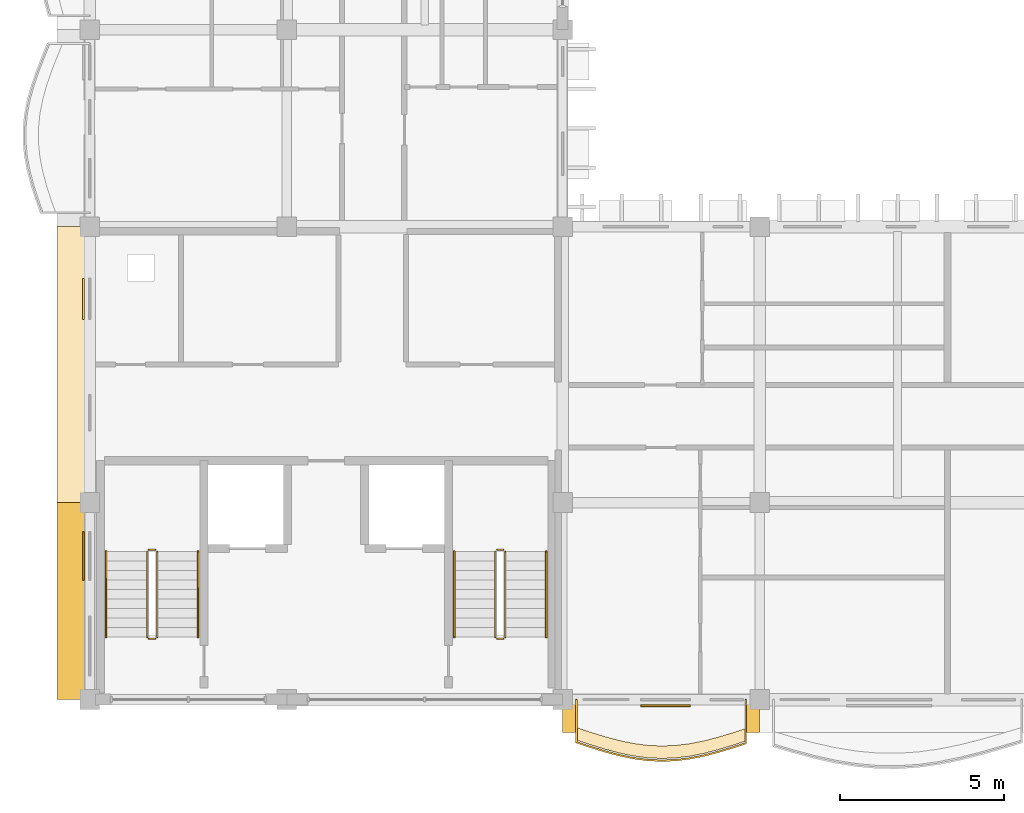
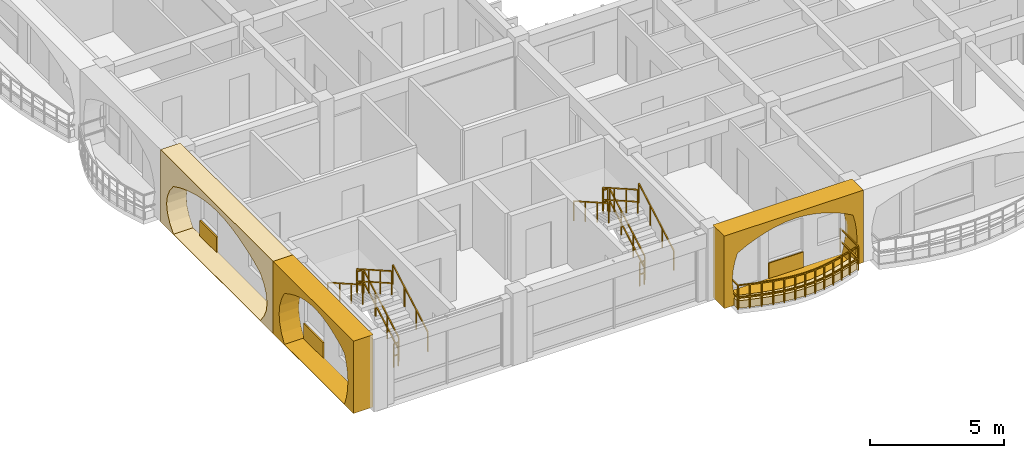
# One storey, part 51 of 79: 13 railings, 7 coverings.
"""IFC4 building model written with IfcOpenShell, lengths in metres."""

from ifc_helpers import new_model, si_unit, direction, frame, origin, origin_2d, place, context, subcontext, project, spatial, polyline, rectangle, outline, extrude, material, layer, layer_set, type_object, element, save


model = new_model("IFC4")

# Units and contexts
model_context = context("Model", 3, precision=1e-05, world=origin(), true_north=direction((0.0, 1.0)))
body_context = subcontext(model_context, "Body", "Model", "MODEL_VIEW")
ifc_project = project(units=[si_unit("LENGTHUNIT", "METRE"), si_unit("AREAUNIT", "SQUARE_METRE"), si_unit("VOLUMEUNIT", "CUBIC_METRE"), si_unit("PLANEANGLEUNIT", "RADIAN"), si_unit("MASSUNIT", "GRAM", prefix="KILO"), si_unit("THERMODYNAMICTEMPERATUREUNIT", "KELVIN")], contexts=[model_context])

# Site, building, storey
site_placement = place(None, origin())
site = spatial("IfcSite", under=ifc_project, at=site_placement, CompositionType="ELEMENT")
building_placement = place(site_placement, origin())
building = spatial("IfcBuilding", under=site, at=building_placement, Name="Thalorik Housing Commons", CompositionType="ELEMENT")
storey_placement = place(building_placement, frame((0.0, 0.0, 11.39990234375)))
storey = spatial("IfcBuildingStorey", under=building, at=storey_placement, Name="L03", CompositionType="ELEMENT", Elevation=11.39990234375)

# Coverings
ifc_material_1 = material(Name="Precast concrete C40/50", Category="concrete")
ifc_layer_1 = layer(ifc_material_1, 0.85009765625, Name="Precast concrete C40/50", Category="concrete")
ifc_layer_set_1 = layer_set([ifc_layer_1], Name="Precast concrete C40/50")
covering_type_1 = type_object("IfcCoveringType", Name="ARC-CLD-CUSH-850", PredefinedType="CLADDING", material=ifc_layer_set_1)
covering_1_placement = place(storey_placement, frame((7.822509765625, 18.60009765625, 0.0), z_axis=(0.0, 0.0, 1.0), x_axis=(0.0, -1.0, 0.0)))
element("IfcCovering", 1, at=covering_1_placement, inside=storey, type_object=covering_type_1, Name="L03 White Precast Curved Cushion Bay Frame 3722", PredefinedType="CLADDING", context=body_context, shape_type="SweptSolid", body=[
    extrude(outline(polyline([(-4.199951171875, 0.0), (4.199951171875, 0.0), (4.199951171875, 3.300048828125), (-4.199951171875, 3.300048828125), (-4.199951171875, 0.0)]), holes=[polyline([(3.239990234375, 0.02490234375), (3.523193359375, 0.387451171875), (3.693359375, 0.75), (3.75, 1.112548828125), (3.693359375, 1.47509765625), (3.523193359375, 1.83740234375), (3.239990234375, 2.199951171875), (2.699951171875, 2.455810546875), (2.159912109375, 2.656494140625), (1.6201171875, 2.819091796875), (1.080078125, 2.940185546875), (0.5400390625, 3.014892578125), (0.0, 3.0400390625), (-0.5400390625, 3.014892578125), (-1.080078125, 2.940185546875), (-1.6201171875, 2.819091796875), (-2.159912109375, 2.656494140625), (-2.699951171875, 2.455810546875), (-3.239990234375, 2.199951171875), (-3.523193359375, 1.83740234375), (-3.693359375, 1.47509765625), (-3.75, 1.112548828125), (-3.693359375, 0.75), (-3.523193359375, 0.387451171875), (-3.239990234375, 0.02490234375), (3.239990234375, 0.02490234375)])]), frame((0.0, 0.425048828125, 0.0), z_axis=(0.0, -1.0, 0.0), x_axis=(1.0, 0.0, 0.0)), (0.0, 0.0, 1.0), 0.85009765625),
])
covering_2_placement = place(storey_placement, frame((7.822509765625, 11.39990234375, 0.0), z_axis=(0.0, 0.0, 1.0), x_axis=(0.0, -1.0, 0.0)))
element("IfcCovering", 2, at=covering_2_placement, inside=storey, type_object=covering_type_1, Name="L03 White Precast Curved Cushion Bay Frame 3724", PredefinedType="CLADDING", context=body_context, shape_type="SweptSolid", body=[
    extrude(outline(polyline([(-3.0, 0.0), (3.0, 0.0), (3.0, 3.300048828125), (-3.0, 3.300048828125), (-3.0, 0.0)]), holes=[polyline([(2.330078125, 0.02490234375), (2.471435546875, 0.410888671875), (2.556396484375, 0.796630859375), (2.584716796875, 1.1826171875), (2.556396484375, 1.568359375), (2.471435546875, 1.9541015625), (2.330078125, 2.340087890625), (1.955810546875, 2.552978515625), (1.581787109375, 2.720458984375), (1.20751953125, 2.85595703125), (0.833251953125, 2.956787109375), (0.459228515625, 3.01904296875), (0.0849609375, 3.0400390625), (-0.289306640625, 3.01904296875), (-0.663330078125, 2.956787109375), (-1.03759765625, 2.85595703125), (-1.41162109375, 2.720458984375), (-1.785888671875, 2.552978515625), (-2.159912109375, 2.340087890625), (-2.376708984375, 1.9541015625), (-2.506591796875, 1.568359375), (-2.550048828125, 1.1826171875), (-2.506591796875, 0.796630859375), (-2.376708984375, 0.410888671875), (-2.159912109375, 0.02490234375), (2.330078125, 0.02490234375)])]), frame((0.0, 0.425048828125, 0.0), z_axis=(0.0, -1.0, 0.0), x_axis=(1.0, 0.0, 0.0)), (0.0, 0.0, 1.0), 0.85009765625),
])
covering_3_placement = place(storey_placement, frame((25.800048828125, 7.822509765625, 0.0), z_axis=(0.0, 0.0, 1.0), x_axis=(1.0, 0.0, 0.0)))
element("IfcCovering", 3, at=covering_3_placement, inside=storey, type_object=covering_type_1, Name="L03 White Precast Curved Cushion Bay Frame 3726", PredefinedType="CLADDING", context=body_context, shape_type="SweptSolid", body=[
    extrude(outline(polyline([(-3.0, 0.0), (3.0, 0.0), (3.0, 3.300048828125), (-3.0, 3.300048828125), (-3.0, 0.0)]), holes=[polyline([(2.550048828125, 0.02490234375), (2.64501953125, 0.407470703125), (2.701904296875, 0.7900390625), (2.720947265625, 1.172607421875), (2.701904296875, 1.554931640625), (2.64501953125, 1.9375), (2.550048828125, 2.320068359375), (2.135009765625, 2.539306640625), (1.719970703125, 2.711181640625), (1.304931640625, 2.8505859375), (0.889892578125, 2.954345703125), (0.47509765625, 3.018310546875), (0.06005859375, 3.0400390625), (-0.35498046875, 3.018310546875), (-0.77001953125, 2.954345703125), (-1.18505859375, 2.8505859375), (-1.60009765625, 2.711181640625), (-2.014892578125, 2.539306640625), (-2.429931640625, 2.320068359375), (-2.55029296875, 1.9375), (-2.62255859375, 1.554931640625), (-2.646484375, 1.172607421875), (-2.62255859375, 0.7900390625), (-2.55029296875, 0.407470703125), (-2.429931640625, 0.02490234375), (2.550048828125, 0.02490234375)])]), frame((0.0, 0.425048828125, 0.0), z_axis=(0.0, -1.0, 0.0), x_axis=(1.0, 0.0, 0.0)), (0.0, 0.0, 1.0), 0.85009765625),
])
ifc_material_2 = material(Name="Terracotta red mineral fibre-cement panel", Category="masonry")
ifc_layer_2 = layer(ifc_material_2, 0.054931640625, Name="Terracotta red mineral fibre-cement panel", Category="masonry")
ifc_layer_set_2 = layer_set([ifc_layer_2], Name="Terracotta red mineral fibre-cement panel")
covering_type_2 = type_object("IfcCoveringType", Name="ARC-CLD-RED-55", PredefinedType="CLADDING", material=ifc_layer_set_2)
covering_4_placement = place(storey_placement, frame((8.215087890625, 12.77001953125, 0.05029296875), z_axis=(0.0, 0.0, 1.0), x_axis=(0.0, -1.0, 0.0)))
element("IfcCovering", 4, at=covering_4_placement, inside=storey, type_object=covering_type_2, Name="L03 De Stijl Recessed Window Spandrel 3725", PredefinedType="CLADDING", context=body_context, shape_type="SweptSolid", body=[
    extrude(rectangle(XDim=1.47998046875, YDim=0.054931640625, at=origin_2d()), origin(), (0.0, 0.0, 1.0), 0.699951171875),
])
covering_5_placement = place(storey_placement, frame((25.929931640625, 8.215087890625, 0.05029296875), z_axis=(0.0, 0.0, 1.0), x_axis=(1.0, 0.0, 0.0)))
element("IfcCovering", 5, at=covering_5_placement, inside=storey, type_object=covering_type_2, Name="L03 De Stijl Recessed Window Spandrel 3727", PredefinedType="CLADDING", context=body_context, shape_type="SweptSolid", body=[
    extrude(rectangle(XDim=1.5, YDim=0.054931640625, at=origin_2d()), origin(), (0.0, 0.0, 1.0), 0.699951171875),
])
ifc_material_3 = material(Name="Mineral ochre architectural terracotta panel", Category="masonry")
ifc_layer_3 = layer(ifc_material_3, 0.06494140625, Name="Mineral ochre architectural terracotta panel", Category="masonry")
ifc_layer_set_3 = layer_set([ifc_layer_3], Name="Mineral ochre architectural terracotta panel")
covering_type_3 = type_object("IfcCoveringType", Name="ARC-CLD-YEL-65", PredefinedType="CLADDING", material=ifc_layer_set_3)
covering_6_placement = place(storey_placement, frame((8.2099609375, 20.60498046875, 0.05029296875), z_axis=(0.0, 0.0, 1.0), x_axis=(0.0, -1.0, 0.0)))
element("IfcCovering", 6, at=covering_6_placement, inside=storey, type_object=covering_type_3, Name="L03 De Stijl Recessed Window Spandrel 3723", PredefinedType="CLADDING", context=body_context, shape_type="SweptSolid", body=[
    extrude(rectangle(XDim=1.25, YDim=0.06494140625, at=origin_2d()), origin(), (0.0, 0.0, 1.0), 0.699951171875),
])
ifc_material_4 = material(Name="Planted vegetated substrate and terracotta trough", Category="masonry")
ifc_layer_4 = layer(ifc_material_4, 0.340087890625, Name="Planted vegetated substrate and terracotta trough", Category="masonry")
ifc_layer_set_4 = layer_set([ifc_layer_4], Name="Planted vegetated substrate and terracotta trough")
covering_type_4 = type_object("IfcCoveringType", Name="ARC-COV-PLANTER", PredefinedType="USERDEFINED", material=ifc_layer_set_4)
covering_7_placement = place(storey_placement, origin())
element("IfcCovering", 7, at=covering_7_placement, inside=storey, type_object=covering_type_4, Name="L03 Balcony Slab-Edge Planted Trough 5582", ObjectType="PLANTER", PredefinedType="USERDEFINED", context=body_context, shape_type="SweptSolid", body=[
    extrude(outline(polyline([(23.219970703125, 7.165771484375), (23.64990234375, 7.02490234375), (24.080078125, 6.891845703125), (24.510009765625, 6.7763671875), (24.93994140625, 6.6865234375), (25.3701171875, 6.628662109375), (25.800048828125, 6.60693359375), (26.22998046875, 6.622802734375), (26.659912109375, 6.675048828125), (27.090087890625, 6.759765625), (27.52001953125, 6.87060546875), (27.949951171875, 6.999755859375), (28.3798828125, 7.1376953125), (28.3798828125, 7.517822265625), (27.949951171875, 7.3798828125), (27.52001953125, 7.250732421875), (27.090087890625, 7.1396484375), (26.659912109375, 7.05517578125), (26.22998046875, 7.0029296875), (25.800048828125, 6.987060546875), (25.3701171875, 7.0087890625), (24.93994140625, 7.06640625), (24.510009765625, 7.15625), (24.080078125, 7.27197265625), (23.64990234375, 7.40478515625), (23.219970703125, 7.5458984375), (23.219970703125, 7.165771484375)])), origin(), (0.0, 0.0, 1.0), 0.340087890625),
])

# Railings
ifc_material_5 = material(Name="Steel S355", Category="steel")
railing_type_1 = type_object("IfcRailingType", Name="ARC-RL-BAL-112", PredefinedType="BALUSTRADE", material=ifc_material_5)
railing_1_placement = place(storey_placement, frame((23.219970703125, 8.39990234375, 0.0)))
element("IfcRailing", 8, at=railing_1_placement, inside=storey, type_object=railing_type_1, Name="L03 Cushion Balcony Guardrail 266", PredefinedType="BALUSTRADE", context=body_context, shape_type="SweptSolid", body=[
    extrude(rectangle(XDim=0.050048828125, YDim=0.050048828125, at=origin_2d()), frame((0.0, 0.0, 1.09521484375), z_axis=(0.0, -1.0, 0.0), x_axis=(1.0, 0.0, 0.0)), (0.0, 0.0, 1.0), 1.30419921875),
    extrude(rectangle(XDim=0.050048828125, YDim=0.050048828125, at=origin_2d()), frame((0.0, 0.0, 0.53515625), z_axis=(0.0, -1.0, 0.0), x_axis=(1.0, 0.0, 0.0)), (0.0, 0.0, 1.0), 1.30419921875),
    extrude(rectangle(XDim=0.050048828125, YDim=0.050048828125, at=origin_2d()), frame((0.0, -1.30419921875, 1.09521484375), z_axis=(0.950289758629, -0.311366945332, 0.0), x_axis=(0.311366945332, 0.950289758629, 0.0)), (0.0, 0.0, 1.0), 0.452392578125),
    extrude(rectangle(XDim=0.050048828125, YDim=0.050048828125, at=origin_2d()), frame((0.0, -1.30419921875, 0.53515625), z_axis=(0.950289758629, -0.311366945332, 0.0), x_axis=(0.311366945332, 0.950289758629, 0.0)), (0.0, 0.0, 1.0), 0.452392578125),
    extrude(rectangle(XDim=0.050048828125, YDim=0.050048828125, at=origin_2d()), frame((0.429931640625, -1.445068359375, 1.09521484375), z_axis=(0.955497171878, -0.295000261919, 0.0), x_axis=(0.295000261919, 0.955497171878, 0.0)), (0.0, 0.0, 1.0), 0.4501953125),
    extrude(rectangle(XDim=0.050048828125, YDim=0.050048828125, at=origin_2d()), frame((0.429931640625, -1.445068359375, 0.53515625), z_axis=(0.955497171878, -0.295000261919, 0.0), x_axis=(0.295000261919, 0.955497171878, 0.0)), (0.0, 0.0, 1.0), 0.4501953125),
    extrude(rectangle(XDim=0.050048828125, YDim=0.050048828125, at=origin_2d()), frame((0.860107421875, -1.577880859375, 1.09521484375), z_axis=(0.965631639751, -0.259914478843, 0.0), x_axis=(0.259914478843, 0.965631639751, 0.0)), (0.0, 0.0, 1.0), 0.4453125),
    extrude(rectangle(XDim=0.050048828125, YDim=0.050048828125, at=origin_2d()), frame((0.860107421875, -1.577880859375, 0.53515625), z_axis=(0.965631639751, -0.259914478843, 0.0), x_axis=(0.259914478843, 0.965631639751, 0.0)), (0.0, 0.0, 1.0), 0.4453125),
    extrude(rectangle(XDim=0.050048828125, YDim=0.050048828125, at=origin_2d()), frame((1.2900390625, -1.693603515625, 1.09521484375), z_axis=(0.978855377686, -0.204553537188, 0.0), x_axis=(0.204553537188, 0.978855377686, 0.0)), (0.0, 0.0, 1.0), 0.439208984375),
    extrude(rectangle(XDim=0.050048828125, YDim=0.050048828125, at=origin_2d()), frame((1.2900390625, -1.693603515625, 0.53515625), z_axis=(0.978855377686, -0.204553537188, 0.0), x_axis=(0.204553537188, 0.978855377686, 0.0)), (0.0, 0.0, 1.0), 0.439208984375),
    extrude(rectangle(XDim=0.050048828125, YDim=0.050048828125, at=origin_2d()), frame((1.719970703125, -1.783447265625, 1.09521484375), z_axis=(0.991074957785, -0.13330576901, 0.0), x_axis=(0.13330576901, 0.991074957785, 0.0)), (0.0, 0.0, 1.0), 0.43408203125),
    extrude(rectangle(XDim=0.050048828125, YDim=0.050048828125, at=origin_2d()), frame((1.719970703125, -1.783447265625, 0.53515625), z_axis=(0.991074957785, -0.13330576901, 0.0), x_axis=(0.13330576901, 0.991074957785, 0.0)), (0.0, 0.0, 1.0), 0.43408203125),
    extrude(rectangle(XDim=0.050048828125, YDim=0.050048828125, at=origin_2d()), frame((2.150146484375, -1.84130859375, 1.09521484375), z_axis=(0.99875375282, -0.049909330067, 0.0), x_axis=(0.049909330067, 0.99875375282, 0.0)), (0.0, 0.0, 1.0), 0.430419921875),
    extrude(rectangle(XDim=0.050048828125, YDim=0.050048828125, at=origin_2d()), frame((2.150146484375, -1.84130859375, 0.53515625), z_axis=(0.99875375282, -0.049909330067, 0.0), x_axis=(0.049909330067, 0.99875375282, 0.0)), (0.0, 0.0, 1.0), 0.430419921875),
    extrude(rectangle(XDim=0.050048828125, YDim=0.050048828125, at=origin_2d()), frame((2.580078125, -1.86279296875, 1.09521484375), z_axis=(0.999319489991, 0.03688572791, 0.0), x_axis=(-0.03688572791, 0.999319489991, 0.0)), (0.0, 0.0, 1.0), 0.43017578125),
    extrude(rectangle(XDim=0.050048828125, YDim=0.050048828125, at=origin_2d()), frame((2.580078125, -1.86279296875, 0.53515625), z_axis=(0.999319489991, 0.03688572791, 0.0), x_axis=(-0.03688572791, 0.999319489991, 0.0)), (0.0, 0.0, 1.0), 0.43017578125),
    extrude(rectangle(XDim=0.050048828125, YDim=0.050048828125, at=origin_2d()), frame((3.010009765625, -1.846923828125, 1.09521484375), z_axis=(0.992764360791, 0.120078823878, 0.0), x_axis=(-0.120078823878, 0.992764360791, 0.0)), (0.0, 0.0, 1.0), 0.43310546875),
    extrude(rectangle(XDim=0.050048828125, YDim=0.050048828125, at=origin_2d()), frame((3.010009765625, -1.846923828125, 0.53515625), z_axis=(0.992764360791, 0.120078823878, 0.0), x_axis=(-0.120078823878, 0.992764360791, 0.0)), (0.0, 0.0, 1.0), 0.43310546875),
    extrude(rectangle(XDim=0.050048828125, YDim=0.050048828125, at=origin_2d()), frame((3.43994140625, -1.794921875, 1.09521484375), z_axis=(0.981154671571, 0.193223990372, 0.0), x_axis=(-0.193223990372, 0.981154671571, 0.0)), (0.0, 0.0, 1.0), 0.4384765625),
    extrude(rectangle(XDim=0.050048828125, YDim=0.050048828125, at=origin_2d()), frame((3.43994140625, -1.794921875, 0.53515625), z_axis=(0.981154671571, 0.193223990372, 0.0), x_axis=(-0.193223990372, 0.981154671571, 0.0)), (0.0, 0.0, 1.0), 0.4384765625),
    extrude(rectangle(XDim=0.050048828125, YDim=0.050048828125, at=origin_2d()), frame((3.8701171875, -1.710205078125, 1.09521484375), z_axis=(0.968204332881, 0.250160687939, 0.0), x_axis=(-0.250160687939, 0.968204332881, 0.0)), (0.0, 0.0, 1.0), 0.444091796875),
    extrude(rectangle(XDim=0.050048828125, YDim=0.050048828125, at=origin_2d()), frame((3.8701171875, -1.710205078125, 0.53515625), z_axis=(0.968204332881, 0.250160687939, 0.0), x_axis=(-0.250160687939, 0.968204332881, 0.0)), (0.0, 0.0, 1.0), 0.444091796875),
    extrude(rectangle(XDim=0.050048828125, YDim=0.050048828125, at=origin_2d()), frame((4.300048828125, -1.59912109375, 1.09521484375), z_axis=(0.957871185663, 0.287198174918, 0.0), x_axis=(-0.287198174918, 0.957871185663, 0.0)), (0.0, 0.0, 1.0), 0.44873046875),
    extrude(rectangle(XDim=0.050048828125, YDim=0.050048828125, at=origin_2d()), frame((4.300048828125, -1.59912109375, 0.53515625), z_axis=(0.957871185663, 0.287198174918, 0.0), x_axis=(-0.287198174918, 0.957871185663, 0.0)), (0.0, 0.0, 1.0), 0.44873046875),
    extrude(rectangle(XDim=0.050048828125, YDim=0.050048828125, at=origin_2d()), frame((4.72998046875, -1.47021484375, 1.09521484375), z_axis=(0.952034186086, 0.30599168048, 0.0), x_axis=(-0.30599168048, 0.952034186086, 0.0)), (0.0, 0.0, 1.0), 0.45166015625),
    extrude(rectangle(XDim=0.050048828125, YDim=0.050048828125, at=origin_2d()), frame((4.72998046875, -1.47021484375, 0.53515625), z_axis=(0.952034186086, 0.30599168048, 0.0), x_axis=(-0.30599168048, 0.952034186086, 0.0)), (0.0, 0.0, 1.0), 0.45166015625),
    extrude(rectangle(XDim=0.050048828125, YDim=0.050048828125, at=origin_2d()), frame((5.159912109375, -1.33203125, 1.09521484375), z_axis=(0.0, 1.0, 0.0), x_axis=(-1.0, 0.0, 0.0)), (0.0, 0.0, 1.0), 1.33203125),
    extrude(rectangle(XDim=0.050048828125, YDim=0.050048828125, at=origin_2d()), frame((5.159912109375, -1.33203125, 0.53515625), z_axis=(0.0, 1.0, 0.0), x_axis=(-1.0, 0.0, 0.0)), (0.0, 0.0, 1.0), 1.33203125),
    extrude(rectangle(XDim=0.0419921875, YDim=0.0419921875, at=origin_2d()), origin(), (0.0, 0.0, 1.0), 1.070068359375),
    extrude(rectangle(XDim=0.0419921875, YDim=0.0419921875, at=origin_2d()), frame((0.0, -1.30419921875, 0.0)), (0.0, 0.0, 1.0), 1.070068359375),
    extrude(rectangle(XDim=0.0419921875, YDim=0.0419921875, at=origin_2d()), frame((0.429931640625, -1.445068359375, 0.0)), (0.0, 0.0, 1.0), 1.070068359375),
    extrude(rectangle(XDim=0.0419921875, YDim=0.0419921875, at=origin_2d()), frame((0.860107421875, -1.577880859375, 0.0)), (0.0, 0.0, 1.0), 1.070068359375),
    extrude(rectangle(XDim=0.0419921875, YDim=0.0419921875, at=origin_2d()), frame((1.2900390625, -1.693603515625, 0.0)), (0.0, 0.0, 1.0), 1.070068359375),
    extrude(rectangle(XDim=0.0419921875, YDim=0.0419921875, at=origin_2d()), frame((1.719970703125, -1.783447265625, 0.0)), (0.0, 0.0, 1.0), 1.070068359375),
    extrude(rectangle(XDim=0.0419921875, YDim=0.0419921875, at=origin_2d()), frame((2.150146484375, -1.84130859375, 0.0)), (0.0, 0.0, 1.0), 1.070068359375),
    extrude(rectangle(XDim=0.0419921875, YDim=0.0419921875, at=origin_2d()), frame((2.580078125, -1.86279296875, 0.0)), (0.0, 0.0, 1.0), 1.070068359375),
    extrude(rectangle(XDim=0.0419921875, YDim=0.0419921875, at=origin_2d()), frame((3.010009765625, -1.846923828125, 0.0)), (0.0, 0.0, 1.0), 1.070068359375),
    extrude(rectangle(XDim=0.0419921875, YDim=0.0419921875, at=origin_2d()), frame((3.43994140625, -1.794921875, 0.0)), (0.0, 0.0, 1.0), 1.070068359375),
    extrude(rectangle(XDim=0.0419921875, YDim=0.0419921875, at=origin_2d()), frame((3.8701171875, -1.710205078125, 0.0)), (0.0, 0.0, 1.0), 1.070068359375),
    extrude(rectangle(XDim=0.0419921875, YDim=0.0419921875, at=origin_2d()), frame((4.300048828125, -1.59912109375, 0.0)), (0.0, 0.0, 1.0), 1.070068359375),
    extrude(rectangle(XDim=0.0419921875, YDim=0.0419921875, at=origin_2d()), frame((4.72998046875, -1.47021484375, 0.0)), (0.0, 0.0, 1.0), 1.070068359375),
    extrude(rectangle(XDim=0.0419921875, YDim=0.0419921875, at=origin_2d()), frame((5.159912109375, -1.33203125, 0.0)), (0.0, 0.0, 1.0), 1.070068359375),
    extrude(rectangle(XDim=0.0419921875, YDim=0.0419921875, at=origin_2d()), frame((5.159912109375, 0.0, 0.0)), (0.0, 0.0, 1.0), 1.070068359375),
])
railing_type_2 = type_object("IfcRailingType", Name="ARC-RL-STR-GRD110", PredefinedType="GUARDRAIL", material=ifc_material_5)
railing_2_placement = place(storey_placement, frame((10.449951171875, 10.300048828125, 0.1650390625)))
element("IfcRailing", 9, at=railing_2_placement, inside=storey, type_object=railing_type_2, Name="L03 ST-C1 stair guard 1", PredefinedType="GUARDRAIL", context=body_context, shape_type="SweptSolid", body=[
    extrude(rectangle(XDim=0.048095703125, YDim=0.048095703125, at=origin_2d()), frame((0.0, 0.0, 1.076171875), z_axis=(0.0, 0.869137319866, 0.494570843475), x_axis=(-1.0, 0.0, 0.0)), (0.0, 0.0, 1.0), 3.0029296875),
    extrude(rectangle(XDim=0.048095703125, YDim=0.048095703125, at=origin_2d()), frame((0.0, 0.0, 0.52587890625), z_axis=(0.0, 0.869137319866, 0.494570843475), x_axis=(-1.0, 0.0, 0.0)), (0.0, 0.0, 1.0), 3.0029296875),
    extrude(rectangle(XDim=0.0419921875, YDim=0.0419921875, at=origin_2d()), origin(), (0.0, 0.0, 1.0), 1.052001953125),
    extrude(rectangle(XDim=0.0419921875, YDim=0.0419921875, at=origin_2d()), frame((0.0, 0.869873046875, 0.4951171875)), (0.0, 0.0, 1.0), 1.052001953125),
    extrude(rectangle(XDim=0.0419921875, YDim=0.0419921875, at=origin_2d()), frame((0.0, 1.739990234375, 0.989990234375)), (0.0, 0.0, 1.0), 1.052001953125),
    extrude(rectangle(XDim=0.0419921875, YDim=0.0419921875, at=origin_2d()), frame((0.0, 2.60986328125, 1.485107421875)), (0.0, 0.0, 1.0), 1.052001953125),
])
railing_3_placement = place(storey_placement, frame((10.39990234375, 12.9599609375, 1.650146484375)))
element("IfcRailing", 10, at=railing_3_placement, inside=storey, type_object=railing_type_2, Name="L03 ST-C1 stair guard 2", PredefinedType="GUARDRAIL", context=body_context, shape_type="SweptSolid", body=[
    extrude(rectangle(XDim=0.048095703125, YDim=0.048095703125, at=origin_2d()), frame((0.0, 0.0, 1.076171875), z_axis=(-1.0, 0.0, 0.0), x_axis=(0.0, -1.0, 0.0)), (0.0, 0.0, 1.0), 0.199951171875),
    extrude(rectangle(XDim=0.048095703125, YDim=0.048095703125, at=origin_2d()), frame((0.0, 0.0, 0.52587890625), z_axis=(-1.0, 0.0, 0.0), x_axis=(0.0, -1.0, 0.0)), (0.0, 0.0, 1.0), 0.199951171875),
    extrude(rectangle(XDim=0.0419921875, YDim=0.0419921875, at=origin_2d()), origin(), (0.0, 0.0, 1.0), 1.052001953125),
    extrude(rectangle(XDim=0.0419921875, YDim=0.0419921875, at=origin_2d()), frame((-0.199951171875, 0.0, 0.0)), (0.0, 0.0, 1.0), 1.052001953125),
])
railing_4_placement = place(storey_placement, frame((10.14990234375, 12.909912109375, 1.815185546875)))
element("IfcRailing", 11, at=railing_4_placement, inside=storey, type_object=railing_type_2, Name="L03 ST-C1 stair guard 3", PredefinedType="GUARDRAIL", context=body_context, shape_type="SweptSolid", body=[
    extrude(rectangle(XDim=0.048095703125, YDim=0.048095703125, at=origin_2d()), frame((0.0, 0.0, 1.076171875), z_axis=(0.0, -0.869172267526, 0.494509422927), x_axis=(1.0, 0.0, 0.0)), (0.0, 0.0, 1.0), 3.002685546875),
    extrude(rectangle(XDim=0.048095703125, YDim=0.048095703125, at=origin_2d()), frame((0.0, 0.0, 0.52587890625), z_axis=(0.0, -0.869172267526, 0.494509422927), x_axis=(1.0, 0.0, 0.0)), (0.0, 0.0, 1.0), 3.002685546875),
    extrude(rectangle(XDim=0.0419921875, YDim=0.0419921875, at=origin_2d()), origin(), (0.0, 0.0, 1.0), 1.052001953125),
    extrude(rectangle(XDim=0.0419921875, YDim=0.0419921875, at=origin_2d()), frame((0.0, -0.869873046875, 0.494873046875)), (0.0, 0.0, 1.0), 1.052001953125),
    extrude(rectangle(XDim=0.0419921875, YDim=0.0419921875, at=origin_2d()), frame((0.0, -1.739990234375, 0.989990234375)), (0.0, 0.0, 1.0), 1.052001953125),
    extrude(rectangle(XDim=0.0419921875, YDim=0.0419921875, at=origin_2d()), frame((0.0, -2.60986328125, 1.48486328125)), (0.0, 0.0, 1.0), 1.052001953125),
])
railing_5_placement = place(storey_placement, frame((10.39990234375, 10.25, 0.0)))
element("IfcRailing", 12, at=railing_5_placement, inside=storey, type_object=railing_type_2, Name="L03 ST-C1 stair guard 4", PredefinedType="GUARDRAIL", context=body_context, shape_type="SweptSolid", body=[
    extrude(rectangle(XDim=0.048095703125, YDim=0.048095703125, at=origin_2d()), frame((0.0, 0.0, 1.076171875), z_axis=(-1.0, 0.0, 0.0), x_axis=(0.0, -1.0, 0.0)), (0.0, 0.0, 1.0), 0.199951171875),
    extrude(rectangle(XDim=0.048095703125, YDim=0.048095703125, at=origin_2d()), frame((0.0, 0.0, 0.52587890625), z_axis=(-1.0, 0.0, 0.0), x_axis=(0.0, -1.0, 0.0)), (0.0, 0.0, 1.0), 0.199951171875),
    extrude(rectangle(XDim=0.0419921875, YDim=0.0419921875, at=origin_2d()), origin(), (0.0, 0.0, 1.0), 1.052001953125),
    extrude(rectangle(XDim=0.0419921875, YDim=0.0419921875, at=origin_2d()), frame((-0.199951171875, 0.0, 0.0)), (0.0, 0.0, 1.0), 1.052001953125),
])
railing_6_placement = place(storey_placement, frame((21.050048828125, 10.300048828125, 0.1650390625)))
element("IfcRailing", 13, at=railing_6_placement, inside=storey, type_object=railing_type_2, Name="L03 ST-C2 stair guard 1", PredefinedType="GUARDRAIL", context=body_context, shape_type="SweptSolid", body=[
    extrude(rectangle(XDim=0.048095703125, YDim=0.048095703125, at=origin_2d()), frame((0.0, 0.0, 1.076171875), z_axis=(0.0, 0.869137319866, 0.494570843475), x_axis=(-1.0, 0.0, 0.0)), (0.0, 0.0, 1.0), 3.0029296875),
    extrude(rectangle(XDim=0.048095703125, YDim=0.048095703125, at=origin_2d()), frame((0.0, 0.0, 0.52587890625), z_axis=(0.0, 0.869137319866, 0.494570843475), x_axis=(-1.0, 0.0, 0.0)), (0.0, 0.0, 1.0), 3.0029296875),
    extrude(rectangle(XDim=0.0419921875, YDim=0.0419921875, at=origin_2d()), origin(), (0.0, 0.0, 1.0), 1.052001953125),
    extrude(rectangle(XDim=0.0419921875, YDim=0.0419921875, at=origin_2d()), frame((0.0, 0.869873046875, 0.4951171875)), (0.0, 0.0, 1.0), 1.052001953125),
    extrude(rectangle(XDim=0.0419921875, YDim=0.0419921875, at=origin_2d()), frame((0.0, 1.739990234375, 0.989990234375)), (0.0, 0.0, 1.0), 1.052001953125),
    extrude(rectangle(XDim=0.0419921875, YDim=0.0419921875, at=origin_2d()), frame((0.0, 2.60986328125, 1.485107421875)), (0.0, 0.0, 1.0), 1.052001953125),
])
railing_7_placement = place(storey_placement, frame((21.0, 12.9599609375, 1.650146484375)))
element("IfcRailing", 14, at=railing_7_placement, inside=storey, type_object=railing_type_2, Name="L03 ST-C2 stair guard 2", PredefinedType="GUARDRAIL", context=body_context, shape_type="SweptSolid", body=[
    extrude(rectangle(XDim=0.048095703125, YDim=0.048095703125, at=origin_2d()), frame((0.0, 0.0, 1.076171875), z_axis=(-1.0, 0.0, 0.0), x_axis=(0.0, -1.0, 0.0)), (0.0, 0.0, 1.0), 0.199951171875),
    extrude(rectangle(XDim=0.048095703125, YDim=0.048095703125, at=origin_2d()), frame((0.0, 0.0, 0.52587890625), z_axis=(-1.0, 0.0, 0.0), x_axis=(0.0, -1.0, 0.0)), (0.0, 0.0, 1.0), 0.199951171875),
    extrude(rectangle(XDim=0.0419921875, YDim=0.0419921875, at=origin_2d()), origin(), (0.0, 0.0, 1.0), 1.052001953125),
    extrude(rectangle(XDim=0.0419921875, YDim=0.0419921875, at=origin_2d()), frame((-0.199951171875, 0.0, 0.0)), (0.0, 0.0, 1.0), 1.052001953125),
])
railing_8_placement = place(storey_placement, frame((20.75, 12.909912109375, 1.815185546875)))
element("IfcRailing", 15, at=railing_8_placement, inside=storey, type_object=railing_type_2, Name="L03 ST-C2 stair guard 3", PredefinedType="GUARDRAIL", context=body_context, shape_type="SweptSolid", body=[
    extrude(rectangle(XDim=0.048095703125, YDim=0.048095703125, at=origin_2d()), frame((0.0, 0.0, 1.076171875), z_axis=(0.0, -0.869172267526, 0.494509422927), x_axis=(1.0, 0.0, 0.0)), (0.0, 0.0, 1.0), 3.002685546875),
    extrude(rectangle(XDim=0.048095703125, YDim=0.048095703125, at=origin_2d()), frame((0.0, 0.0, 0.52587890625), z_axis=(0.0, -0.869172267526, 0.494509422927), x_axis=(1.0, 0.0, 0.0)), (0.0, 0.0, 1.0), 3.002685546875),
    extrude(rectangle(XDim=0.0419921875, YDim=0.0419921875, at=origin_2d()), origin(), (0.0, 0.0, 1.0), 1.052001953125),
    extrude(rectangle(XDim=0.0419921875, YDim=0.0419921875, at=origin_2d()), frame((0.0, -0.869873046875, 0.494873046875)), (0.0, 0.0, 1.0), 1.052001953125),
    extrude(rectangle(XDim=0.0419921875, YDim=0.0419921875, at=origin_2d()), frame((0.0, -1.739990234375, 0.989990234375)), (0.0, 0.0, 1.0), 1.052001953125),
    extrude(rectangle(XDim=0.0419921875, YDim=0.0419921875, at=origin_2d()), frame((0.0, -2.60986328125, 1.48486328125)), (0.0, 0.0, 1.0), 1.052001953125),
])
railing_9_placement = place(storey_placement, frame((21.0, 10.25, 0.0)))
element("IfcRailing", 16, at=railing_9_placement, inside=storey, type_object=railing_type_2, Name="L03 ST-C2 stair guard 4", PredefinedType="GUARDRAIL", context=body_context, shape_type="SweptSolid", body=[
    extrude(rectangle(XDim=0.048095703125, YDim=0.048095703125, at=origin_2d()), frame((0.0, 0.0, 1.076171875), z_axis=(-1.0, 0.0, 0.0), x_axis=(0.0, -1.0, 0.0)), (0.0, 0.0, 1.0), 0.199951171875),
    extrude(rectangle(XDim=0.048095703125, YDim=0.048095703125, at=origin_2d()), frame((0.0, 0.0, 0.52587890625), z_axis=(-1.0, 0.0, 0.0), x_axis=(0.0, -1.0, 0.0)), (0.0, 0.0, 1.0), 0.199951171875),
    extrude(rectangle(XDim=0.0419921875, YDim=0.0419921875, at=origin_2d()), origin(), (0.0, 0.0, 1.0), 1.052001953125),
    extrude(rectangle(XDim=0.0419921875, YDim=0.0419921875, at=origin_2d()), frame((-0.199951171875, 0.0, 0.0)), (0.0, 0.0, 1.0), 1.052001953125),
])
railing_type_3 = type_object("IfcRailingType", Name="ARC-RL-STR-HR092", PredefinedType="HANDRAIL", material=ifc_material_5)
railing_10_placement = place(storey_placement, frame((11.699951171875, 10.300048828125, 0.1650390625)))
element("IfcRailing", 17, at=railing_10_placement, inside=storey, type_object=railing_type_3, Name="L03 ST-C1 stair handrail 1", PredefinedType="HANDRAIL", context=body_context, shape_type="SweptSolid", body=[
    extrude(rectangle(XDim=0.048095703125, YDim=0.048095703125, at=origin_2d()), frame((0.0, 0.0, 0.89599609375), z_axis=(0.0, 0.869137319866, 0.494570843475), x_axis=(-1.0, 0.0, 0.0)), (0.0, 0.0, 1.0), 3.0029296875),
    extrude(rectangle(XDim=0.0419921875, YDim=0.0419921875, at=origin_2d()), origin(), (0.0, 0.0, 1.0), 0.871826171875),
    extrude(rectangle(XDim=0.0419921875, YDim=0.0419921875, at=origin_2d()), frame((0.0, 0.869873046875, 0.4951171875)), (0.0, 0.0, 1.0), 0.871826171875),
    extrude(rectangle(XDim=0.0419921875, YDim=0.0419921875, at=origin_2d()), frame((0.0, 1.739990234375, 0.989990234375)), (0.0, 0.0, 1.0), 0.871826171875),
    extrude(rectangle(XDim=0.0419921875, YDim=0.0419921875, at=origin_2d()), frame((0.0, 2.60986328125, 1.485107421875)), (0.0, 0.0, 1.0), 0.871826171875),
])
railing_11_placement = place(storey_placement, frame((8.89990234375, 12.909912109375, 1.815185546875)))
element("IfcRailing", 18, at=railing_11_placement, inside=storey, type_object=railing_type_3, Name="L03 ST-C1 stair handrail 2", PredefinedType="HANDRAIL", context=body_context, shape_type="SweptSolid", body=[
    extrude(rectangle(XDim=0.048095703125, YDim=0.048095703125, at=origin_2d()), frame((0.0, 0.0, 0.89599609375), z_axis=(0.0, -0.869172267526, 0.494509422927), x_axis=(1.0, 0.0, 0.0)), (0.0, 0.0, 1.0), 3.002685546875),
    extrude(rectangle(XDim=0.0419921875, YDim=0.0419921875, at=origin_2d()), origin(), (0.0, 0.0, 1.0), 0.871826171875),
    extrude(rectangle(XDim=0.0419921875, YDim=0.0419921875, at=origin_2d()), frame((0.0, -0.869873046875, 0.494873046875)), (0.0, 0.0, 1.0), 0.871826171875),
    extrude(rectangle(XDim=0.0419921875, YDim=0.0419921875, at=origin_2d()), frame((0.0, -1.739990234375, 0.989990234375)), (0.0, 0.0, 1.0), 0.871826171875),
    extrude(rectangle(XDim=0.0419921875, YDim=0.0419921875, at=origin_2d()), frame((0.0, -2.60986328125, 1.48486328125)), (0.0, 0.0, 1.0), 0.871826171875),
])
railing_12_placement = place(storey_placement, frame((22.300048828125, 10.300048828125, 0.1650390625)))
element("IfcRailing", 19, at=railing_12_placement, inside=storey, type_object=railing_type_3, Name="L03 ST-C2 stair handrail 1", PredefinedType="HANDRAIL", context=body_context, shape_type="SweptSolid", body=[
    extrude(rectangle(XDim=0.048095703125, YDim=0.048095703125, at=origin_2d()), frame((0.0, 0.0, 0.89599609375), z_axis=(0.0, 0.869137319866, 0.494570843475), x_axis=(-1.0, 0.0, 0.0)), (0.0, 0.0, 1.0), 3.0029296875),
    extrude(rectangle(XDim=0.0419921875, YDim=0.0419921875, at=origin_2d()), origin(), (0.0, 0.0, 1.0), 0.871826171875),
    extrude(rectangle(XDim=0.0419921875, YDim=0.0419921875, at=origin_2d()), frame((0.0, 0.869873046875, 0.4951171875)), (0.0, 0.0, 1.0), 0.871826171875),
    extrude(rectangle(XDim=0.0419921875, YDim=0.0419921875, at=origin_2d()), frame((0.0, 1.739990234375, 0.989990234375)), (0.0, 0.0, 1.0), 0.871826171875),
    extrude(rectangle(XDim=0.0419921875, YDim=0.0419921875, at=origin_2d()), frame((0.0, 2.60986328125, 1.485107421875)), (0.0, 0.0, 1.0), 0.871826171875),
])
railing_13_placement = place(storey_placement, frame((19.5, 12.909912109375, 1.815185546875)))
element("IfcRailing", 20, at=railing_13_placement, inside=storey, type_object=railing_type_3, Name="L03 ST-C2 stair handrail 2", PredefinedType="HANDRAIL", context=body_context, shape_type="SweptSolid", body=[
    extrude(rectangle(XDim=0.048095703125, YDim=0.048095703125, at=origin_2d()), frame((0.0, 0.0, 0.89599609375), z_axis=(0.0, -0.869172267526, 0.494509422927), x_axis=(1.0, 0.0, 0.0)), (0.0, 0.0, 1.0), 3.002685546875),
    extrude(rectangle(XDim=0.0419921875, YDim=0.0419921875, at=origin_2d()), origin(), (0.0, 0.0, 1.0), 0.871826171875),
    extrude(rectangle(XDim=0.0419921875, YDim=0.0419921875, at=origin_2d()), frame((0.0, -0.869873046875, 0.494873046875)), (0.0, 0.0, 1.0), 0.871826171875),
    extrude(rectangle(XDim=0.0419921875, YDim=0.0419921875, at=origin_2d()), frame((0.0, -1.739990234375, 0.989990234375)), (0.0, 0.0, 1.0), 0.871826171875),
    extrude(rectangle(XDim=0.0419921875, YDim=0.0419921875, at=origin_2d()), frame((0.0, -2.60986328125, 1.48486328125)), (0.0, 0.0, 1.0), 0.871826171875),
])

save(model, "model.ifc")
